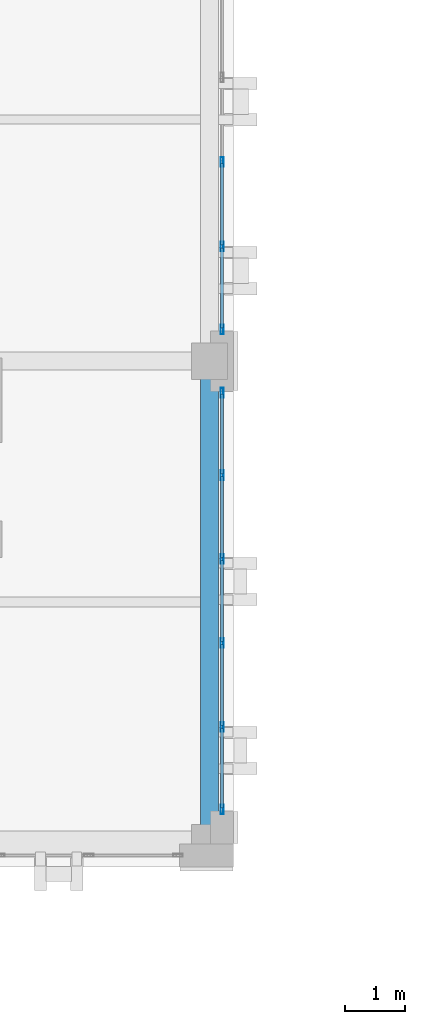
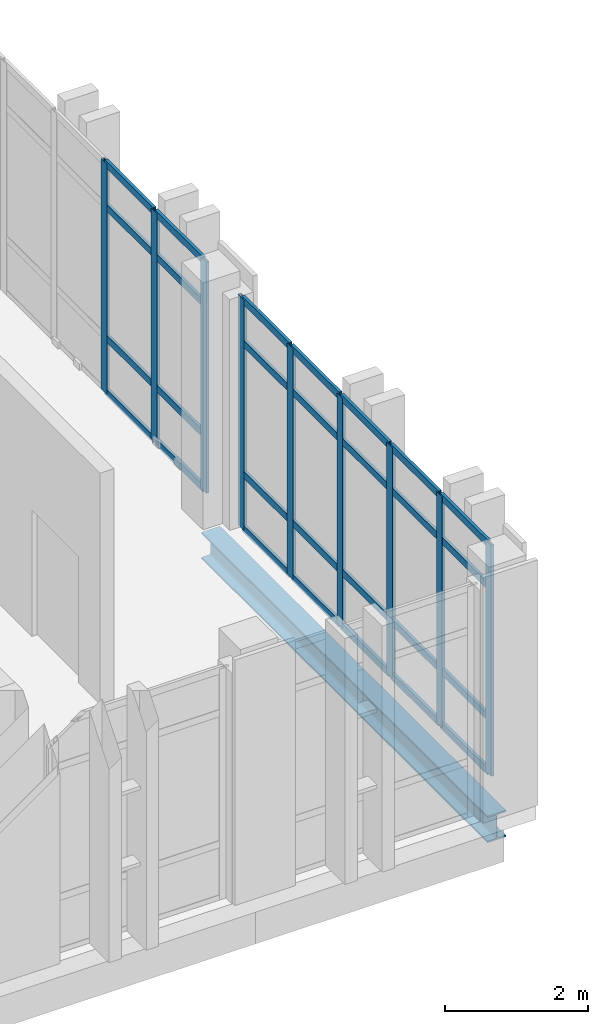
# One storey, part 7 of 90: 37 members, 1 beam, 2 elements without a shape of their own.
"""IFC4 building model written with IfcOpenShell, lengths in metres."""

from ifc_helpers import new_model, si_unit, direction, frame, origin, origin_2d, place, context, subcontext, project, spatial, hollow_rectangle, i_section, extrude, material, layer, layer_set, material_profile, profile_set, type_object, element, aggregate, save


model = new_model("IFC4")

# Units and contexts
model_context = context("Model", 3, precision=1e-05, world=origin(), true_north=direction((0.0, 1.0)))
body_context = subcontext(model_context, "Body", "Model", "MODEL_VIEW")
ifc_project = project(units=[si_unit("LENGTHUNIT", "METRE"), si_unit("AREAUNIT", "SQUARE_METRE"), si_unit("VOLUMEUNIT", "CUBIC_METRE"), si_unit("PLANEANGLEUNIT", "RADIAN"), si_unit("MASSUNIT", "GRAM", prefix="KILO")], contexts=[model_context])

# Site, building, storey
site_placement = place(None, origin())
site = spatial("IfcSite", under=ifc_project, at=site_placement, CompositionType="ELEMENT")
building_placement = place(site_placement, origin())
building = spatial("IfcBuilding", under=site, at=building_placement, Name="Qalavern Law Courts", CompositionType="ELEMENT")
storey_placement = place(building_placement, frame((0.0, 0.0, 22.800048828125)))
storey = spatial("IfcBuildingStorey", under=building, at=storey_placement, Name="L05", CompositionType="ELEMENT", Elevation=22.800048828125)

# Curtain wall, members
ifc_material_1 = material(Name="Anodised aluminium and insulated glazing", Category="aluminium")
ifc_layer = layer(ifc_material_1, 0.159912109375)
ifc_layer_set = layer_set([ifc_layer], Name="Anodised aluminium and insulated glazing")
curtain_wall_type = type_object("IfcCurtainWallType", Name="ENV-CW-CHAMB", PredefinedType="USERDEFINED", material=ifc_layer_set)
curtain_wall_1_placement = place(storey_placement, origin())
curtain_wall_1 = element("IfcCurtainWall", 1, at=curtain_wall_1_placement, inside=storey, type_object=curtain_wall_type, Name="V3 unitised curtain wall L05 east 1", ObjectType="UNITISED CURTAIN WALL", PredefinedType="USERDEFINED")
ifc_material_2 = material(Name="Anodised aluminium", Category="aluminium")
ifc_material_profile_1 = material_profile(ifc_material_2, hollow_rectangle(XDim=0.048095703125, YDim=0.159912109375, WallThickness=0.00390625, at=origin_2d()), Name="ALU MULLION 48x160")
ifc_profile_set_1 = profile_set([ifc_material_profile_1], Name="Anodised aluminium")
member_type_1 = type_object("IfcMemberType", Name="ENV-CWM-48x160", PredefinedType="MULLION", material=ifc_profile_set_1)
member_1_placement = place(storey_placement, frame((18.607421875, 41.97412109375, 0.0), z_axis=(0.0, 0.0, 1.0), x_axis=(-1.0, 0.0, 0.0)))
member_1 = element("IfcMember", 2, at=member_1_placement, type_object=member_type_1, Name="CW-04 mullion 1", PredefinedType="MULLION", context=body_context, shape_type="SweptSolid", body=[
    extrude(hollow_rectangle(XDim=0.048095703125, YDim=0.159912109375, WallThickness=0.00390625, at=origin_2d()), origin(), (0.0, 0.0, 1.0), 3.929931640625),
])
member_2_placement = place(storey_placement, frame((18.607421875, 43.340087890625, 0.0), z_axis=(0.0, 0.0, 1.0), x_axis=(-1.0, 0.0, 0.0)))
member_2 = element("IfcMember", 3, at=member_2_placement, type_object=member_type_1, Name="CW-04 mullion 2", PredefinedType="MULLION", context=body_context, shape_type="SweptSolid", body=[
    extrude(hollow_rectangle(XDim=0.048095703125, YDim=0.159912109375, WallThickness=0.00390625, at=origin_2d()), origin(), (0.0, 0.0, 1.0), 3.929931640625),
])
member_3_placement = place(storey_placement, frame((18.607421875, 44.72998046875, 0.0), z_axis=(0.0, 0.0, 1.0), x_axis=(-1.0, 0.0, 0.0)))
member_3 = element("IfcMember", 4, at=member_3_placement, type_object=member_type_1, Name="CW-04 mullion 3", PredefinedType="MULLION", context=body_context, shape_type="SweptSolid", body=[
    extrude(hollow_rectangle(XDim=0.048095703125, YDim=0.159912109375, WallThickness=0.00390625, at=origin_2d()), origin(), (0.0, 0.0, 1.0), 3.929931640625),
])
member_4_placement = place(storey_placement, frame((18.607421875, 46.1201171875, 0.0), z_axis=(0.0, 0.0, 1.0), x_axis=(-1.0, 0.0, 0.0)))
member_4 = element("IfcMember", 5, at=member_4_placement, type_object=member_type_1, Name="CW-04 mullion 4", PredefinedType="MULLION", context=body_context, shape_type="SweptSolid", body=[
    extrude(hollow_rectangle(XDim=0.048095703125, YDim=0.159912109375, WallThickness=0.00390625, at=origin_2d()), origin(), (0.0, 0.0, 1.0), 3.929931640625),
])
member_5_placement = place(storey_placement, frame((18.607421875, 47.510009765625, 0.0), z_axis=(0.0, 0.0, 1.0), x_axis=(-1.0, 0.0, 0.0)))
member_5 = element("IfcMember", 6, at=member_5_placement, type_object=member_type_1, Name="CW-04 mullion 5", PredefinedType="MULLION", context=body_context, shape_type="SweptSolid", body=[
    extrude(hollow_rectangle(XDim=0.048095703125, YDim=0.159912109375, WallThickness=0.00390625, at=origin_2d()), origin(), (0.0, 0.0, 1.0), 3.929931640625),
])
member_6_placement = place(storey_placement, frame((18.607421875, 48.8759765625, 0.0), z_axis=(0.0, 0.0, 1.0), x_axis=(-1.0, 0.0, 0.0)))
member_6 = element("IfcMember", 7, at=member_6_placement, type_object=member_type_1, Name="CW-04 mullion 6", PredefinedType="MULLION", context=body_context, shape_type="SweptSolid", body=[
    extrude(hollow_rectangle(XDim=0.048095703125, YDim=0.159912109375, WallThickness=0.00390625, at=origin_2d()), origin(), (0.0, 0.0, 1.0), 3.929931640625),
])

curtain_wall_2_placement = place(storey_placement, origin())
curtain_wall_2 = element("IfcCurtainWall", 8, at=curtain_wall_2_placement, inside=storey, type_object=curtain_wall_type, Name="V3 unitised curtain wall L05 east 2", ObjectType="UNITISED CURTAIN WALL", PredefinedType="USERDEFINED")
member_7_placement = place(storey_placement, frame((18.607421875, 49.924072265625, 0.0), z_axis=(0.0, 0.0, 1.0), x_axis=(-1.0, 0.0, 0.0)))
member_7 = element("IfcMember", 9, at=member_7_placement, type_object=member_type_1, Name="CW-04 mullion 1", PredefinedType="MULLION", context=body_context, shape_type="SweptSolid", body=[
    extrude(hollow_rectangle(XDim=0.048095703125, YDim=0.159912109375, WallThickness=0.00390625, at=origin_2d()), origin(), (0.0, 0.0, 1.0), 3.929931640625),
])
member_8_placement = place(storey_placement, frame((18.607421875, 51.300048828125, 0.0), z_axis=(0.0, 0.0, 1.0), x_axis=(-1.0, 0.0, 0.0)))
member_8 = element("IfcMember", 10, at=member_8_placement, type_object=member_type_1, Name="CW-04 mullion 2", PredefinedType="MULLION", context=body_context, shape_type="SweptSolid", body=[
    extrude(hollow_rectangle(XDim=0.048095703125, YDim=0.159912109375, WallThickness=0.00390625, at=origin_2d()), origin(), (0.0, 0.0, 1.0), 3.929931640625),
])
member_9_placement = place(storey_placement, frame((18.607421875, 52.699951171875, 0.0), z_axis=(0.0, 0.0, 1.0), x_axis=(-1.0, 0.0, 0.0)))
member_9 = element("IfcMember", 11, at=member_9_placement, type_object=member_type_1, Name="CW-04 mullion 3", PredefinedType="MULLION", context=body_context, shape_type="SweptSolid", body=[
    extrude(hollow_rectangle(XDim=0.048095703125, YDim=0.159912109375, WallThickness=0.00390625, at=origin_2d()), origin(), (0.0, 0.0, 1.0), 3.929931640625),
])

# Member
ifc_material_profile_2 = material_profile(ifc_material_2, hollow_rectangle(XDim=0.048095703125, YDim=0.1201171875, WallThickness=0.00390625, at=origin_2d()), Name="ALU TRANSOM 48x120")
ifc_profile_set_2 = profile_set([ifc_material_profile_2], Name="Anodised aluminium")
member_type_2 = type_object("IfcMemberType", Name="ENV-CWT-48x120", PredefinedType="USERDEFINED", material=ifc_profile_set_2)
member_10_placement = place(storey_placement, frame((18.607421875, 41.998046875, 0.02392578125), z_axis=(0.0, 1.0, 0.0), x_axis=(-1.0, 0.0, 0.0)))
member_10 = element("IfcMember", 12, at=member_10_placement, type_object=member_type_2, Name="CW-04 transom 1.1", ObjectType="TRANSOM", PredefinedType="USERDEFINED", context=body_context, shape_type="SweptSolid", body=[
    extrude(hollow_rectangle(XDim=0.048095703125, YDim=0.1201171875, WallThickness=0.00390625, at=origin_2d()), origin(), (0.0, 0.0, 1.0), 1.31787109375),
])

member_11_placement = place(storey_placement, frame((18.607421875, 41.998046875, 0.949951171875), z_axis=(0.0, 1.0, 0.0), x_axis=(-1.0, 0.0, 0.0)))
member_11 = element("IfcMember", 13, at=member_11_placement, type_object=member_type_2, Name="CW-04 transom 1.2", ObjectType="TRANSOM", PredefinedType="USERDEFINED", context=body_context, shape_type="SweptSolid", body=[
    extrude(hollow_rectangle(XDim=0.048095703125, YDim=0.1201171875, WallThickness=0.00390625, at=origin_2d()), origin(), (0.0, 0.0, 1.0), 1.31787109375),
])

member_12_placement = place(storey_placement, frame((18.607421875, 41.998046875, 3.179931640625), z_axis=(0.0, 1.0, 0.0), x_axis=(-1.0, 0.0, 0.0)))
member_12 = element("IfcMember", 14, at=member_12_placement, type_object=member_type_2, Name="CW-04 transom 1.3", ObjectType="TRANSOM", PredefinedType="USERDEFINED", context=body_context, shape_type="SweptSolid", body=[
    extrude(hollow_rectangle(XDim=0.048095703125, YDim=0.1201171875, WallThickness=0.00390625, at=origin_2d()), origin(), (0.0, 0.0, 1.0), 1.31787109375),
])

member_13_placement = place(storey_placement, frame((18.607421875, 41.998046875, 3.906005859375), z_axis=(0.0, 1.0, 0.0), x_axis=(-1.0, 0.0, 0.0)))
member_13 = element("IfcMember", 15, at=member_13_placement, type_object=member_type_2, Name="CW-04 transom 1.4", ObjectType="TRANSOM", PredefinedType="USERDEFINED", context=body_context, shape_type="SweptSolid", body=[
    extrude(hollow_rectangle(XDim=0.048095703125, YDim=0.1201171875, WallThickness=0.00390625, at=origin_2d()), origin(), (0.0, 0.0, 1.0), 1.31787109375),
])

member_14_placement = place(storey_placement, frame((18.607421875, 43.364013671875, 0.02392578125), z_axis=(0.0, 1.0, 0.0), x_axis=(-1.0, 0.0, 0.0)))
member_14 = element("IfcMember", 16, at=member_14_placement, type_object=member_type_2, Name="CW-04 transom 2.1", ObjectType="TRANSOM", PredefinedType="USERDEFINED", context=body_context, shape_type="SweptSolid", body=[
    extrude(hollow_rectangle(XDim=0.048095703125, YDim=0.1201171875, WallThickness=0.00390625, at=origin_2d()), origin(), (0.0, 0.0, 1.0), 1.342041015625),
])

member_15_placement = place(storey_placement, frame((18.607421875, 43.364013671875, 0.949951171875), z_axis=(0.0, 1.0, 0.0), x_axis=(-1.0, 0.0, 0.0)))
member_15 = element("IfcMember", 17, at=member_15_placement, type_object=member_type_2, Name="CW-04 transom 2.2", ObjectType="TRANSOM", PredefinedType="USERDEFINED", context=body_context, shape_type="SweptSolid", body=[
    extrude(hollow_rectangle(XDim=0.048095703125, YDim=0.1201171875, WallThickness=0.00390625, at=origin_2d()), origin(), (0.0, 0.0, 1.0), 1.342041015625),
])

member_16_placement = place(storey_placement, frame((18.607421875, 43.364013671875, 3.179931640625), z_axis=(0.0, 1.0, 0.0), x_axis=(-1.0, 0.0, 0.0)))
member_16 = element("IfcMember", 18, at=member_16_placement, type_object=member_type_2, Name="CW-04 transom 2.3", ObjectType="TRANSOM", PredefinedType="USERDEFINED", context=body_context, shape_type="SweptSolid", body=[
    extrude(hollow_rectangle(XDim=0.048095703125, YDim=0.1201171875, WallThickness=0.00390625, at=origin_2d()), origin(), (0.0, 0.0, 1.0), 1.342041015625),
])

member_17_placement = place(storey_placement, frame((18.607421875, 43.364013671875, 3.906005859375), z_axis=(0.0, 1.0, 0.0), x_axis=(-1.0, 0.0, 0.0)))
member_17 = element("IfcMember", 19, at=member_17_placement, type_object=member_type_2, Name="CW-04 transom 2.4", ObjectType="TRANSOM", PredefinedType="USERDEFINED", context=body_context, shape_type="SweptSolid", body=[
    extrude(hollow_rectangle(XDim=0.048095703125, YDim=0.1201171875, WallThickness=0.00390625, at=origin_2d()), origin(), (0.0, 0.0, 1.0), 1.342041015625),
])

member_18_placement = place(storey_placement, frame((18.607421875, 44.75390625, 0.02392578125), z_axis=(0.0, 1.0, 0.0), x_axis=(-1.0, 0.0, 0.0)))
member_18 = element("IfcMember", 20, at=member_18_placement, type_object=member_type_2, Name="CW-04 transom 3.1", ObjectType="TRANSOM", PredefinedType="USERDEFINED", context=body_context, shape_type="SweptSolid", body=[
    extrude(hollow_rectangle(XDim=0.048095703125, YDim=0.1201171875, WallThickness=0.00390625, at=origin_2d()), origin(), (0.0, 0.0, 1.0), 1.342041015625),
])

member_19_placement = place(storey_placement, frame((18.607421875, 44.75390625, 0.949951171875), z_axis=(0.0, 1.0, 0.0), x_axis=(-1.0, 0.0, 0.0)))
member_19 = element("IfcMember", 21, at=member_19_placement, type_object=member_type_2, Name="CW-04 transom 3.2", ObjectType="TRANSOM", PredefinedType="USERDEFINED", context=body_context, shape_type="SweptSolid", body=[
    extrude(hollow_rectangle(XDim=0.048095703125, YDim=0.1201171875, WallThickness=0.00390625, at=origin_2d()), origin(), (0.0, 0.0, 1.0), 1.342041015625),
])

member_20_placement = place(storey_placement, frame((18.607421875, 44.75390625, 3.179931640625), z_axis=(0.0, 1.0, 0.0), x_axis=(-1.0, 0.0, 0.0)))
member_20 = element("IfcMember", 22, at=member_20_placement, type_object=member_type_2, Name="CW-04 transom 3.3", ObjectType="TRANSOM", PredefinedType="USERDEFINED", context=body_context, shape_type="SweptSolid", body=[
    extrude(hollow_rectangle(XDim=0.048095703125, YDim=0.1201171875, WallThickness=0.00390625, at=origin_2d()), origin(), (0.0, 0.0, 1.0), 1.342041015625),
])

member_21_placement = place(storey_placement, frame((18.607421875, 44.75390625, 3.906005859375), z_axis=(0.0, 1.0, 0.0), x_axis=(-1.0, 0.0, 0.0)))
member_21 = element("IfcMember", 23, at=member_21_placement, type_object=member_type_2, Name="CW-04 transom 3.4", ObjectType="TRANSOM", PredefinedType="USERDEFINED", context=body_context, shape_type="SweptSolid", body=[
    extrude(hollow_rectangle(XDim=0.048095703125, YDim=0.1201171875, WallThickness=0.00390625, at=origin_2d()), origin(), (0.0, 0.0, 1.0), 1.342041015625),
])

member_22_placement = place(storey_placement, frame((18.607421875, 46.14404296875, 0.02392578125), z_axis=(0.0, 1.0, 0.0), x_axis=(-1.0, 0.0, 0.0)))
member_22 = element("IfcMember", 24, at=member_22_placement, type_object=member_type_2, Name="CW-04 transom 4.1", ObjectType="TRANSOM", PredefinedType="USERDEFINED", context=body_context, shape_type="SweptSolid", body=[
    extrude(hollow_rectangle(XDim=0.048095703125, YDim=0.1201171875, WallThickness=0.00390625, at=origin_2d()), origin(), (0.0, 0.0, 1.0), 1.342041015625),
])

member_23_placement = place(storey_placement, frame((18.607421875, 46.14404296875, 0.949951171875), z_axis=(0.0, 1.0, 0.0), x_axis=(-1.0, 0.0, 0.0)))
member_23 = element("IfcMember", 25, at=member_23_placement, type_object=member_type_2, Name="CW-04 transom 4.2", ObjectType="TRANSOM", PredefinedType="USERDEFINED", context=body_context, shape_type="SweptSolid", body=[
    extrude(hollow_rectangle(XDim=0.048095703125, YDim=0.1201171875, WallThickness=0.00390625, at=origin_2d()), origin(), (0.0, 0.0, 1.0), 1.342041015625),
])

member_24_placement = place(storey_placement, frame((18.607421875, 46.14404296875, 3.179931640625), z_axis=(0.0, 1.0, 0.0), x_axis=(-1.0, 0.0, 0.0)))
member_24 = element("IfcMember", 26, at=member_24_placement, type_object=member_type_2, Name="CW-04 transom 4.3", ObjectType="TRANSOM", PredefinedType="USERDEFINED", context=body_context, shape_type="SweptSolid", body=[
    extrude(hollow_rectangle(XDim=0.048095703125, YDim=0.1201171875, WallThickness=0.00390625, at=origin_2d()), origin(), (0.0, 0.0, 1.0), 1.342041015625),
])

member_25_placement = place(storey_placement, frame((18.607421875, 46.14404296875, 3.906005859375), z_axis=(0.0, 1.0, 0.0), x_axis=(-1.0, 0.0, 0.0)))
member_25 = element("IfcMember", 27, at=member_25_placement, type_object=member_type_2, Name="CW-04 transom 4.4", ObjectType="TRANSOM", PredefinedType="USERDEFINED", context=body_context, shape_type="SweptSolid", body=[
    extrude(hollow_rectangle(XDim=0.048095703125, YDim=0.1201171875, WallThickness=0.00390625, at=origin_2d()), origin(), (0.0, 0.0, 1.0), 1.342041015625),
])

member_26_placement = place(storey_placement, frame((18.607421875, 47.533935546875, 0.02392578125), z_axis=(0.0, 1.0, 0.0), x_axis=(-1.0, 0.0, 0.0)))
member_26 = element("IfcMember", 28, at=member_26_placement, type_object=member_type_2, Name="CW-04 transom 5.1", ObjectType="TRANSOM", PredefinedType="USERDEFINED", context=body_context, shape_type="SweptSolid", body=[
    extrude(hollow_rectangle(XDim=0.048095703125, YDim=0.1201171875, WallThickness=0.00390625, at=origin_2d()), origin(), (0.0, 0.0, 1.0), 1.318115234375),
])

member_27_placement = place(storey_placement, frame((18.607421875, 47.533935546875, 0.949951171875), z_axis=(0.0, 1.0, 0.0), x_axis=(-1.0, 0.0, 0.0)))
member_27 = element("IfcMember", 29, at=member_27_placement, type_object=member_type_2, Name="CW-04 transom 5.2", ObjectType="TRANSOM", PredefinedType="USERDEFINED", context=body_context, shape_type="SweptSolid", body=[
    extrude(hollow_rectangle(XDim=0.048095703125, YDim=0.1201171875, WallThickness=0.00390625, at=origin_2d()), origin(), (0.0, 0.0, 1.0), 1.318115234375),
])

member_28_placement = place(storey_placement, frame((18.607421875, 47.533935546875, 3.179931640625), z_axis=(0.0, 1.0, 0.0), x_axis=(-1.0, 0.0, 0.0)))
member_28 = element("IfcMember", 30, at=member_28_placement, type_object=member_type_2, Name="CW-04 transom 5.3", ObjectType="TRANSOM", PredefinedType="USERDEFINED", context=body_context, shape_type="SweptSolid", body=[
    extrude(hollow_rectangle(XDim=0.048095703125, YDim=0.1201171875, WallThickness=0.00390625, at=origin_2d()), origin(), (0.0, 0.0, 1.0), 1.318115234375),
])

member_29_placement = place(storey_placement, frame((18.607421875, 47.533935546875, 3.906005859375), z_axis=(0.0, 1.0, 0.0), x_axis=(-1.0, 0.0, 0.0)))
member_29 = element("IfcMember", 31, at=member_29_placement, type_object=member_type_2, Name="CW-04 transom 5.4", ObjectType="TRANSOM", PredefinedType="USERDEFINED", context=body_context, shape_type="SweptSolid", body=[
    extrude(hollow_rectangle(XDim=0.048095703125, YDim=0.1201171875, WallThickness=0.00390625, at=origin_2d()), origin(), (0.0, 0.0, 1.0), 1.318115234375),
])

aggregate(curtain_wall_1, [member_1, member_2, member_3, member_4, member_5, member_6, member_10, member_11, member_12, member_13, member_14, member_15, member_16, member_17, member_18, member_19, member_20, member_21, member_22, member_23, member_24, member_25, member_26, member_27, member_28, member_29])

member_30_placement = place(storey_placement, frame((18.607421875, 49.947998046875, 0.02392578125), z_axis=(0.0, 1.0, 0.0), x_axis=(-1.0, 0.0, 0.0)))
member_30 = element("IfcMember", 32, at=member_30_placement, type_object=member_type_2, Name="CW-04 transom 1.1", ObjectType="TRANSOM", PredefinedType="USERDEFINED", context=body_context, shape_type="SweptSolid", body=[
    extrude(hollow_rectangle(XDim=0.048095703125, YDim=0.1201171875, WallThickness=0.00390625, at=origin_2d()), origin(), (0.0, 0.0, 1.0), 1.327880859375),
])

member_31_placement = place(storey_placement, frame((18.607421875, 49.947998046875, 0.949951171875), z_axis=(0.0, 1.0, 0.0), x_axis=(-1.0, 0.0, 0.0)))
member_31 = element("IfcMember", 33, at=member_31_placement, type_object=member_type_2, Name="CW-04 transom 1.2", ObjectType="TRANSOM", PredefinedType="USERDEFINED", context=body_context, shape_type="SweptSolid", body=[
    extrude(hollow_rectangle(XDim=0.048095703125, YDim=0.1201171875, WallThickness=0.00390625, at=origin_2d()), origin(), (0.0, 0.0, 1.0), 1.327880859375),
])

member_32_placement = place(storey_placement, frame((18.607421875, 49.947998046875, 3.179931640625), z_axis=(0.0, 1.0, 0.0), x_axis=(-1.0, 0.0, 0.0)))
member_32 = element("IfcMember", 34, at=member_32_placement, type_object=member_type_2, Name="CW-04 transom 1.3", ObjectType="TRANSOM", PredefinedType="USERDEFINED", context=body_context, shape_type="SweptSolid", body=[
    extrude(hollow_rectangle(XDim=0.048095703125, YDim=0.1201171875, WallThickness=0.00390625, at=origin_2d()), origin(), (0.0, 0.0, 1.0), 1.327880859375),
])

member_33_placement = place(storey_placement, frame((18.607421875, 49.947998046875, 3.906005859375), z_axis=(0.0, 1.0, 0.0), x_axis=(-1.0, 0.0, 0.0)))
member_33 = element("IfcMember", 35, at=member_33_placement, type_object=member_type_2, Name="CW-04 transom 1.4", ObjectType="TRANSOM", PredefinedType="USERDEFINED", context=body_context, shape_type="SweptSolid", body=[
    extrude(hollow_rectangle(XDim=0.048095703125, YDim=0.1201171875, WallThickness=0.00390625, at=origin_2d()), origin(), (0.0, 0.0, 1.0), 1.327880859375),
])

member_34_placement = place(storey_placement, frame((18.607421875, 51.323974609375, 0.02392578125), z_axis=(0.0, 1.0, 0.0), x_axis=(-1.0, 0.0, 0.0)))
member_34 = element("IfcMember", 36, at=member_34_placement, type_object=member_type_2, Name="CW-04 transom 2.1", ObjectType="TRANSOM", PredefinedType="USERDEFINED", context=body_context, shape_type="SweptSolid", body=[
    extrude(hollow_rectangle(XDim=0.048095703125, YDim=0.1201171875, WallThickness=0.00390625, at=origin_2d()), origin(), (0.0, 0.0, 1.0), 1.35205078125),
])

member_35_placement = place(storey_placement, frame((18.607421875, 51.323974609375, 0.949951171875), z_axis=(0.0, 1.0, 0.0), x_axis=(-1.0, 0.0, 0.0)))
member_35 = element("IfcMember", 37, at=member_35_placement, type_object=member_type_2, Name="CW-04 transom 2.2", ObjectType="TRANSOM", PredefinedType="USERDEFINED", context=body_context, shape_type="SweptSolid", body=[
    extrude(hollow_rectangle(XDim=0.048095703125, YDim=0.1201171875, WallThickness=0.00390625, at=origin_2d()), origin(), (0.0, 0.0, 1.0), 1.35205078125),
])

member_36_placement = place(storey_placement, frame((18.607421875, 51.323974609375, 3.179931640625), z_axis=(0.0, 1.0, 0.0), x_axis=(-1.0, 0.0, 0.0)))
member_36 = element("IfcMember", 38, at=member_36_placement, type_object=member_type_2, Name="CW-04 transom 2.3", ObjectType="TRANSOM", PredefinedType="USERDEFINED", context=body_context, shape_type="SweptSolid", body=[
    extrude(hollow_rectangle(XDim=0.048095703125, YDim=0.1201171875, WallThickness=0.00390625, at=origin_2d()), origin(), (0.0, 0.0, 1.0), 1.35205078125),
])

member_37_placement = place(storey_placement, frame((18.607421875, 51.323974609375, 3.906005859375), z_axis=(0.0, 1.0, 0.0), x_axis=(-1.0, 0.0, 0.0)))
member_37 = element("IfcMember", 39, at=member_37_placement, type_object=member_type_2, Name="CW-04 transom 2.4", ObjectType="TRANSOM", PredefinedType="USERDEFINED", context=body_context, shape_type="SweptSolid", body=[
    extrude(hollow_rectangle(XDim=0.048095703125, YDim=0.1201171875, WallThickness=0.00390625, at=origin_2d()), origin(), (0.0, 0.0, 1.0), 1.35205078125),
])

aggregate(curtain_wall_2, [member_7, member_8, member_9, member_30, member_31, member_32, member_33, member_34, member_35, member_36, member_37])

# Beam
ifc_material_3 = material(Name="Steel S355", Category="steel")
ifc_material_profile_3 = material_profile(ifc_material_3, i_section(OverallWidth=0.300048828125, OverallDepth=0.449951171875, WebThickness=0.013916015625, FlangeThickness=0.02587890625, FilletRadius=0.027099609375, at=origin_2d()), Name="HEB 450")
ifc_profile_set_3 = profile_set([ifc_material_profile_3], Name="Steel S355")
beam_type = type_object("IfcBeamType", Name="STR-SP-HEB450", PredefinedType="SPANDREL", material=ifc_profile_set_3)
beam_placement = place(storey_placement, frame((18.39990234375, 41.419921875, -0.5), z_axis=(0.0, 1.0, 0.0), x_axis=(-1.0, 0.0, 0.0)))
element("IfcBeam", 40, at=beam_placement, inside=storey, type_object=beam_type, Name="V3 Y-beam 3-1 L05", PredefinedType="SPANDREL", context=body_context, shape_type="SweptSolid", body=[
    extrude(i_section(OverallWidth=0.300048828125, OverallDepth=0.449951171875, WebThickness=0.013916015625, FlangeThickness=0.02587890625, FilletRadius=0.027099609375, at=origin_2d()), origin(), (0.0, 0.0, 1.0), 7.97998046875),
])

save(model, "model.ifc")
